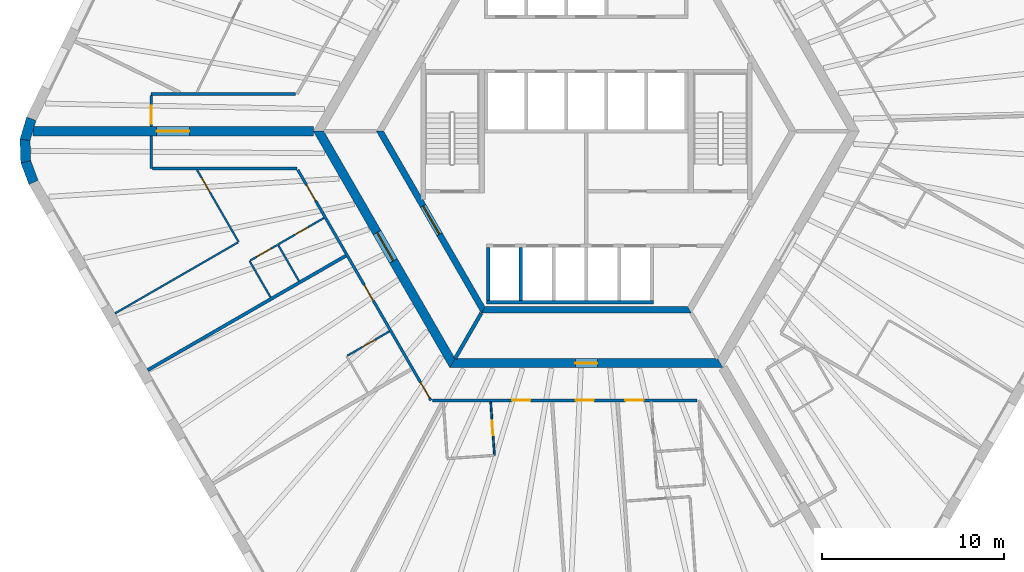
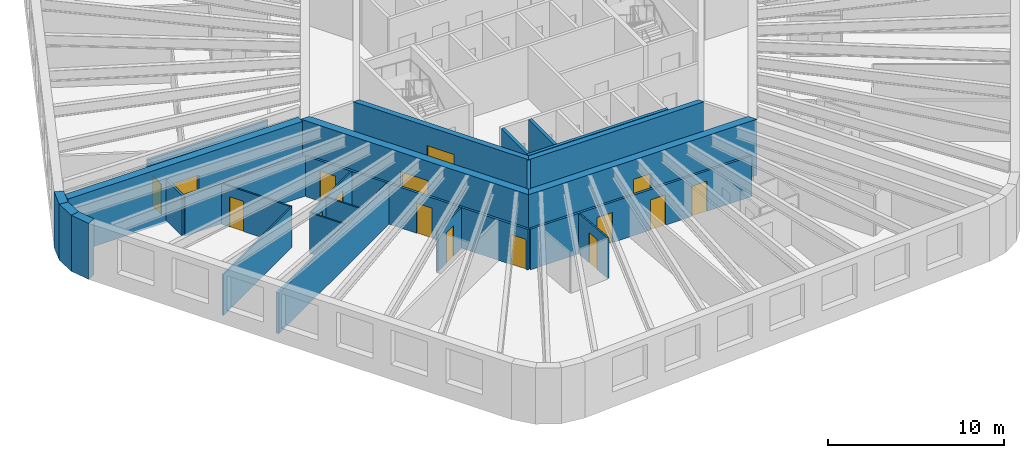
# One storey, part 3 of 10: 27 walls, 16 doors, 16 openings.
"""IFC4 building model written with IfcOpenShell, lengths in metres."""

from ifc_helpers import new_model, si_unit, direction, frame, frame_2d, origin, place, context, subcontext, project, spatial, polyline, rectangle, outline, extrude, material, layer, layer_set, type_object, element, fill, save


model = new_model("IFC4")

# Units and contexts
model_context = context("Model", 3, precision=1e-05, world=origin(), true_north=direction((0.0, 1.0)))
body_context = subcontext(model_context, "Body", "Model", "MODEL_VIEW")
ifc_project = project(units=[si_unit("LENGTHUNIT", "METRE"), si_unit("AREAUNIT", "SQUARE_METRE"), si_unit("VOLUMEUNIT", "CUBIC_METRE"), si_unit("PLANEANGLEUNIT", "RADIAN"), si_unit("MASSUNIT", "GRAM", prefix="KILO")], contexts=[model_context])

# Site, building, storey
site_placement = place(None, origin())
site = spatial("IfcSite", under=ifc_project, at=site_placement, CompositionType="ELEMENT")
building_placement = place(site_placement, origin())
building = spatial("IfcBuilding", under=site, at=building_placement, Name="Tarnside Tower", CompositionType="ELEMENT")
storey_placement = place(building_placement, frame((0.0, 0.0, 160.5)))
storey = spatial("IfcBuildingStorey", under=building, at=storey_placement, Name="L37", CompositionType="ELEMENT", Elevation=160.5)

# Wall, opening, door
ifc_material_1 = material(Name="Gypsum board partition on steel studs", Category="steel")
ifc_layer_1 = layer(ifc_material_1, 0.10009765625)
ifc_layer_set_1 = layer_set([ifc_layer_1], Name="Bathroom wall 100")
wall_type_1 = type_object("IfcWallType", Name="Bathroom wall 100", PredefinedType="PARTITIONING", material=ifc_layer_set_1)
wall_1_placement = place(storey_placement, frame((-16.956298828125, -6.230712890625, 0.0), z_axis=(0.0, 0.0, 1.0), x_axis=(0.866046596414, 0.499963291492, 0.0)))
wall_1 = element("IfcWall", 1, at=wall_1_placement, inside=storey, type_object=wall_type_1, Name="Bathroom wall 11066", PredefinedType="PARTITIONING", context=body_context, shape_type="SweptSolid", body=[
    extrude(rectangle(XDim=2.925048828125, YDim=0.10009765625, at=frame_2d((1.46240234375, 0.0))), origin(), (0.0, 0.0, 1.0), 2.823486328125),
])
opening_1_placement = place(wall_1_placement, frame((1.10009765625, 0.0, 0.0)))
opening_1 = element("IfcOpeningElement", 2, at=opening_1_placement, cuts=wall_1, Name="Opening D-B1", PredefinedType="OPENING", context=body_context, shape_type="SweptSolid", body=[
    extrude(rectangle(XDim=0.800048828125, YDim=2.10009765625, at=frame_2d((0.39990234375, 1.050048828125))), frame((0.0, 0.06005859375, 0.0), z_axis=(0.0, -1.0, 0.0), x_axis=(1.0, 0.0, 0.0)), (0.0, 0.0, 1.0), 0.1201171875),
])
ifc_material_2 = material(Name="Timber door leaf", Category="wood")
door_type_1 = type_object("IfcDoorType", Name="Bathroom door 800", OperationType="NOTDEFINED", PredefinedType="DOOR", material=ifc_material_2)
door_1_placement = place(opening_1_placement, origin())
door_1 = element("IfcDoor", 3, at=door_1_placement, inside=storey, type_object=door_type_1, Name="Bathroom door 11012", OperationType="SINGLE_SWING_LEFT", OverallHeight=2.10009765625, OverallWidth=0.800048828125, PredefinedType="DOOR", context=body_context, shape_type="SweptSolid", body=[
    extrude(rectangle(XDim=0.800048828125, YDim=2.10009765625, at=frame_2d((0.39990234375, 1.050048828125))), frame((0.0, 0.02490234375, 0.0), z_axis=(0.0, -1.0, 0.0), x_axis=(1.0, 0.0, 0.0)), (0.0, 0.0, 1.0), 0.050048828125),
])
fill(opening_1, door_1)

# Wall
wall_2_placement = place(storey_placement, frame((-16.931396484375, -6.274169921875, 0.0), z_axis=(0.0, 0.0, 1.0), x_axis=(0.500077800282, -0.865980481111, 0.0)))
element("IfcWall", 4, at=wall_2_placement, inside=storey, type_object=wall_type_1, Name="Bathroom wall 11072", PredefinedType="PARTITIONING", context=body_context, shape_type="SweptSolid", body=[
    extrude(rectangle(XDim=2.260009765625, YDim=0.10009765625, at=frame_2d((1.1298828125, 0.0))), origin(), (0.0, 0.0, 1.0), 2.823486328125),
])

# Wall, opening, door
wall_3_placement = place(storey_placement, frame((-13.139892578125, -12.341064453125, 0.0), z_axis=(0.0, 0.0, 1.0), x_axis=(0.86604424267, 0.499967368674, 0.0)))
wall_3 = element("IfcWall", 5, at=wall_3_placement, inside=storey, type_object=wall_type_1, Name="Bathroom wall 11076", PredefinedType="PARTITIONING", context=body_context, shape_type="SweptSolid", body=[
    extrude(rectangle(XDim=2.675048828125, YDim=0.10009765625, at=frame_2d((1.33740234375, 0.0))), origin(), (0.0, 0.0, 1.0), 2.823486328125),
])
opening_2_placement = place(wall_3_placement, frame((0.949951171875, 0.0, 0.0)))
opening_2 = element("IfcOpeningElement", 6, at=opening_2_placement, cuts=wall_3, Name="Opening D-B1", PredefinedType="OPENING", context=body_context, shape_type="SweptSolid", body=[
    extrude(rectangle(XDim=0.800048828125, YDim=2.10009765625, at=frame_2d((0.39990234375, 1.050048828125))), frame((0.0, 0.06005859375, 0.0), z_axis=(0.0, -1.0, 0.0), x_axis=(1.0, 0.0, 0.0)), (0.0, 0.0, 1.0), 0.1201171875),
])
door_2_placement = place(opening_2_placement, origin())
door_2 = element("IfcDoor", 7, at=door_2_placement, inside=storey, type_object=door_type_1, Name="Bathroom door 11016", OperationType="SINGLE_SWING_RIGHT", OverallHeight=2.10009765625, OverallWidth=0.800048828125, PredefinedType="DOOR", context=body_context, shape_type="SweptSolid", body=[
    extrude(rectangle(XDim=0.800048828125, YDim=2.10009765625, at=frame_2d((0.39990234375, 1.050048828125))), frame((0.0, 0.02490234375, 0.0), z_axis=(0.0, -1.0, 0.0), x_axis=(1.0, 0.0, 0.0)), (0.0, 0.0, 1.0), 0.050048828125),
])
fill(opening_2, door_2)

wall_4_placement = place(storey_placement, frame((-5.2578125, -14.875, 0.0), z_axis=(0.0, 0.0, 1.0), x_axis=(0.069812665072, -0.997560119389, 0.0)))
wall_4 = element("IfcWall", 8, at=wall_4_placement, inside=storey, type_object=wall_type_1, Name="Bathroom wall 11080", PredefinedType="PARTITIONING", context=body_context, shape_type="SweptSolid", body=[
    extrude(rectangle(XDim=2.951416015625, YDim=0.10009765625, at=frame_2d((1.4755859375, 0.0))), origin(), (0.0, 0.0, 1.0), 2.823486328125),
])
opening_3_placement = place(wall_4_placement, frame((1.051513671875, 0.0, 0.0)))
opening_3 = element("IfcOpeningElement", 9, at=opening_3_placement, cuts=wall_4, Name="Opening D-B1", PredefinedType="OPENING", context=body_context, shape_type="SweptSolid", body=[
    extrude(rectangle(XDim=0.800048828125, YDim=2.10009765625, at=frame_2d((0.39990234375, 1.050048828125))), frame((0.0, 0.06005859375, 0.0), z_axis=(0.0, -1.0, 0.0), x_axis=(1.0, 0.0, 0.0)), (0.0, 0.0, 1.0), 0.1201171875),
])
door_3_placement = place(opening_3_placement, origin())
door_3 = element("IfcDoor", 10, at=door_3_placement, inside=storey, type_object=door_type_1, Name="Bathroom door 11019", OperationType="SINGLE_SWING_LEFT", OverallHeight=2.10009765625, OverallWidth=0.800048828125, PredefinedType="DOOR", context=body_context, shape_type="SweptSolid", body=[
    extrude(rectangle(XDim=0.800048828125, YDim=2.10009765625, at=frame_2d((0.39990234375, 1.050048828125))), frame((0.0, 0.02490234375, 0.0), z_axis=(0.0, -1.0, 0.0), x_axis=(1.0, 0.0, 0.0)), (0.0, 0.0, 1.0), 0.050048828125),
])
fill(opening_3, door_3)

ifc_material_3 = material(Name="Concrete C50/60", Category="concrete")
ifc_layer_2 = layer(ifc_material_3, 0.35009765625)
ifc_layer_set_2 = layer_set([ifc_layer_2], Name="Core block wall 350 C50/60")
wall_type_2 = type_object("IfcWallType", Name="Core block wall 350 C50/60", PredefinedType="SHEAR", material=ifc_layer_set_2)
wall_5_placement = place(storey_placement, frame((-11.344970703125, 0.0, -0.14990234375), z_axis=(0.0, 0.0, 1.0), x_axis=(0.499995046907, -0.866028263435, 0.0)))
wall_5 = element("IfcWall", 11, at=wall_5_placement, inside=storey, type_object=wall_type_2, Name="L37 core block wall face 3", PredefinedType="SHEAR", context=body_context, shape_type="SweptSolid", body=[
    extrude(outline(polyline([(-0.10107421875, -0.175048828125), (11.44580078125, -0.175048828125), (11.24365234375, 0.175048828125), (0.10107421875, 0.175048828125), (-0.10107421875, -0.175048828125)])), origin(), (0.0, 0.0, 1.0), 3.89990234375),
])
opening_4_placement = place(wall_5_placement, frame((4.74365234375, 0.0, 0.14990234375)))
opening_4 = element("IfcOpeningElement", 12, at=opening_4_placement, cuts=wall_5, Name="Opening CD-FFL", PredefinedType="OPENING", context=body_context, shape_type="SweptSolid", body=[
    extrude(rectangle(XDim=1.800048828125, YDim=2.39990234375, at=frame_2d((0.89990234375, 1.199951171875))), frame((0.0, 0.18505859375, 0.0), z_axis=(0.0, -1.0, 0.0), x_axis=(1.0, 0.0, 0.0)), (0.0, 0.0, 1.0), 0.3701171875),
])
ifc_material_4 = material(Name="Steel fire door", Category="steel")
door_type_2 = type_object("IfcDoorType", Name="Firefighting lobby double door FD60S 1800x2400", OperationType="NOTDEFINED", PredefinedType="DOOR", material=ifc_material_4)
door_4_placement = place(opening_4_placement, origin())
door_4 = element("IfcDoor", 13, at=door_4_placement, inside=storey, type_object=door_type_2, Name="L37 lobby block door P3", OperationType="DOUBLE_DOOR_SINGLE_SWING", OverallHeight=2.39990234375, OverallWidth=1.800048828125, PredefinedType="DOOR", context=body_context, shape_type="SweptSolid", body=[
    extrude(rectangle(XDim=1.800048828125, YDim=2.39990234375, at=frame_2d((0.89990234375, 1.199951171875))), frame((0.0, 0.02490234375, 0.0), z_axis=(0.0, -1.0, 0.0), x_axis=(1.0, 0.0, 0.0)), (0.0, 0.0, 1.0), 0.050048828125),
])
fill(opening_4, door_4)

# Wall
wall_6_placement = place(storey_placement, frame((-5.672607421875, -9.824951171875, -0.14990234375), z_axis=(0.0, 0.0, 1.0), x_axis=(1.0, 0.0, 0.0)))
element("IfcWall", 14, at=wall_6_placement, inside=storey, type_object=wall_type_2, Name="L37 core block wall face 4", PredefinedType="SHEAR", context=body_context, shape_type="SweptSolid", body=[
    extrude(outline(polyline([(-0.10107421875, -0.175048828125), (11.4462890625, -0.175048828125), (11.244140625, 0.175048828125), (0.10107421875, 0.175048828125), (-0.10107421875, -0.175048828125)])), origin(), (0.0, 0.0, 1.0), 3.89990234375),
])

# Wall, opening, door
ifc_material_5 = material(Name="Concrete C70/85", Category="concrete")
ifc_layer_3 = layer(ifc_material_5, 0.5)
ifc_layer_set_3 = layer_set([ifc_layer_3], Name="Core wall Z2 500 C70/85")
wall_type_3 = type_object("IfcWallType", Name="Core wall Z2 500 C70/85", PredefinedType="SHEAR", material=ifc_layer_set_3)
wall_7_placement = place(storey_placement, frame((-14.722412109375, 0.0, -0.14990234375), z_axis=(0.0, 0.0, 1.0), x_axis=(0.50000571537, -0.866022103989, 0.0)))
wall_7 = element("IfcWall", 15, at=wall_7_placement, inside=storey, type_object=wall_type_3, Name="L37 core wall face 3", PredefinedType="SHEAR", context=body_context, shape_type="SweptSolid", body=[
    extrude(outline(polyline([(-0.144287109375, -0.25), (14.86669921875, -0.25), (14.578125, 0.25), (0.144287109375, 0.25), (-0.144287109375, -0.25)])), origin(), (0.0, 0.0, 1.0), 3.89990234375),
])
opening_5_placement = place(wall_7_placement, frame((6.432373046875, 0.0, 0.14990234375)))
opening_5 = element("IfcOpeningElement", 16, at=opening_5_placement, cuts=wall_7, Name="Opening CD-FFL", PredefinedType="OPENING", context=body_context, shape_type="SweptSolid", body=[
    extrude(rectangle(XDim=1.800048828125, YDim=2.39990234375, at=frame_2d((0.89990234375, 1.199951171875))), frame((0.0, 0.260009765625, 0.0), z_axis=(0.0, -1.0, 0.0), x_axis=(1.0, 0.0, 0.0)), (0.0, 0.0, 1.0), 0.52001953125),
])
door_5_placement = place(opening_5_placement, origin())
door_5 = element("IfcDoor", 17, at=door_5_placement, inside=storey, type_object=door_type_2, Name="L37 core door P3", OperationType="DOUBLE_DOOR_SINGLE_SWING", OverallHeight=2.39990234375, OverallWidth=1.800048828125, PredefinedType="DOOR", context=body_context, shape_type="SweptSolid", body=[
    extrude(rectangle(XDim=1.800048828125, YDim=2.39990234375, at=frame_2d((0.89990234375, 1.199951171875))), frame((0.0, 0.02490234375, 0.0), z_axis=(0.0, -1.0, 0.0), x_axis=(1.0, 0.0, 0.0)), (0.0, 0.0, 1.0), 0.050048828125),
])
fill(opening_5, door_5)

wall_8_placement = place(storey_placement, frame((-7.361083984375, -12.75, -0.14990234375), z_axis=(0.0, 0.0, 1.0), x_axis=(1.0, 0.0, 0.0)))
wall_8 = element("IfcWall", 18, at=wall_8_placement, inside=storey, type_object=wall_type_3, Name="L37 core wall face 4", PredefinedType="SHEAR", context=body_context, shape_type="SweptSolid", body=[
    extrude(outline(polyline([(-0.144287109375, -0.25), (14.866455078125, -0.25), (14.577880859375, 0.25), (0.144287109375, 0.25), (-0.144287109375, -0.25)])), origin(), (0.0, 0.0, 1.0), 3.89990234375),
])
opening_6_placement = place(wall_8_placement, frame((6.76123046875, 0.0, 0.14990234375)))
opening_6 = element("IfcOpeningElement", 19, at=opening_6_placement, cuts=wall_8, Name="Opening CD-RSR", PredefinedType="OPENING", context=body_context, shape_type="SweptSolid", body=[
    extrude(rectangle(XDim=1.199951171875, YDim=2.39990234375, at=frame_2d((0.60009765625, 1.199951171875))), frame((0.0, 0.260009765625, 0.0), z_axis=(0.0, -1.0, 0.0), x_axis=(1.0, 0.0, 0.0)), (0.0, 0.0, 1.0), 0.52001953125),
])
door_type_3 = type_object("IfcDoorType", Name="Riser door FD60 1200x2400", OperationType="NOTDEFINED", PredefinedType="DOOR", material=ifc_material_4)
door_6_placement = place(opening_6_placement, origin())
door_6 = element("IfcDoor", 20, at=door_6_placement, inside=storey, type_object=door_type_3, Name="L37 core door S6", OperationType="SINGLE_SWING_LEFT", OverallHeight=2.39990234375, OverallWidth=1.199951171875, PredefinedType="DOOR", context=body_context, shape_type="SweptSolid", body=[
    extrude(rectangle(XDim=1.199951171875, YDim=2.39990234375, at=frame_2d((0.60009765625, 1.199951171875))), frame((0.0, 0.02490234375, 0.0), z_axis=(0.0, -1.0, 0.0), x_axis=(1.0, 0.0, 0.0)), (0.0, 0.0, 1.0), 0.050048828125),
])
fill(opening_6, door_6)

wall_9_placement = place(storey_placement, frame((-15.010986328125, 0.0, -0.14990234375), z_axis=(0.0, 0.0, 1.0), x_axis=(-1.0, 0.0, 0.0)))
wall_9 = element("IfcWall", 21, at=wall_9_placement, inside=storey, type_object=wall_type_3, Name="L37 spine wall 2", PredefinedType="SHEAR", context=body_context, shape_type="SweptSolid", body=[
    extrude(rectangle(XDim=15.423828125, YDim=0.5, at=frame_2d((7.7119140625, 0.0))), origin(), (0.0, 0.0, 1.0), 3.89990234375),
])
opening_7_placement = place(wall_9_placement, frame((6.811767578125, 0.0, 0.14990234375)))
opening_7 = element("IfcOpeningElement", 22, at=opening_7_placement, cuts=wall_9, Name="Opening CD-SPN", PredefinedType="OPENING", context=body_context, shape_type="SweptSolid", body=[
    extrude(rectangle(XDim=1.800048828125, YDim=2.39990234375, at=frame_2d((0.89990234375, 1.199951171875))), frame((0.0, 0.260009765625, 0.0), z_axis=(0.0, -1.0, 0.0), x_axis=(1.0, 0.0, 0.0)), (0.0, 0.0, 1.0), 0.52001953125),
])
door_type_4 = type_object("IfcDoorType", Name="Spine passage double door FD60 1800x2400", OperationType="NOTDEFINED", PredefinedType="DOOR", material=ifc_material_4)
door_7_placement = place(opening_7_placement, origin())
door_7 = element("IfcDoor", 23, at=door_7_placement, inside=storey, type_object=door_type_4, Name="L37 spine passage door 2", OperationType="DOUBLE_DOOR_SINGLE_SWING", OverallHeight=2.39990234375, OverallWidth=1.800048828125, PredefinedType="DOOR", context=body_context, shape_type="SweptSolid", body=[
    extrude(rectangle(XDim=1.800048828125, YDim=2.39990234375, at=frame_2d((0.89990234375, 1.199951171875))), frame((0.0, 0.02490234375, 0.0), z_axis=(0.0, -1.0, 0.0), x_axis=(1.0, 0.0, 0.0)), (0.0, 0.0, 1.0), 0.050048828125),
])
fill(opening_7, door_7)

# Wall
ifc_layer_4 = layer(ifc_material_1, 0.14990234375)
ifc_layer_set_4 = layer_set([ifc_layer_4], Name="Corridor wall 150 EI 60")
wall_type_4 = type_object("IfcWallType", Name="Corridor wall 150 EI 60", PredefinedType="PARTITIONING", material=ifc_layer_set_4)
wall_10_placement = place(storey_placement, frame((-15.99267578125, 2.050048828125, 0.0), z_axis=(0.0, 0.0, 1.0), x_axis=(-1.0, 0.0, 0.0)))
element("IfcWall", 24, at=wall_10_placement, inside=storey, type_object=wall_type_4, Name="Corridor wall 11011", PredefinedType="PARTITIONING", context=body_context, shape_type="SweptSolid", body=[
    extrude(rectangle(XDim=7.93017578125, YDim=0.14990234375, at=frame_2d((3.965087890625, 0.0))), origin(), (0.0, 0.0, 1.0), 2.823486328125),
])

# Wall, opening, door
wall_11_placement = place(storey_placement, frame((-23.9228515625, 1.97509765625, 0.0), z_axis=(0.0, 0.0, 1.0), x_axis=(0.0, -1.0, 0.0)))
wall_11 = element("IfcWall", 25, at=wall_11_placement, inside=storey, type_object=wall_type_4, Name="Corridor wall 11015", PredefinedType="PARTITIONING", context=body_context, shape_type="SweptSolid", body=[
    extrude(rectangle(XDim=1.72509765625, YDim=0.14990234375, at=frame_2d((0.862548828125, 0.0))), origin(), (0.0, 0.0, 1.0), 2.823486328125),
])
opening_8_placement = place(wall_11_placement, frame((0.574951171875, 0.0, 0.0)))
opening_8 = element("IfcOpeningElement", 26, at=opening_8_placement, cuts=wall_11, Name="Opening D-E1", PredefinedType="OPENING", context=body_context, shape_type="SweptSolid", body=[
    extrude(rectangle(XDim=1.0, YDim=2.10009765625, at=frame_2d((0.5, 1.050048828125))), frame((0.0, 0.0849609375, 0.0), z_axis=(0.0, -1.0, 0.0), x_axis=(1.0, 0.0, 0.0)), (0.0, 0.0, 1.0), 0.169921875),
])
door_type_5 = type_object("IfcDoorType", Name="Unit entrance door 1000 FD30S", OperationType="NOTDEFINED", PredefinedType="DOOR", material=ifc_material_2)
door_8_placement = place(opening_8_placement, origin())
door_8 = element("IfcDoor", 27, at=door_8_placement, inside=storey, type_object=door_type_5, Name="Unit door 11010", OperationType="SINGLE_SWING_LEFT", OverallHeight=2.10009765625, OverallWidth=1.0, PredefinedType="DOOR", context=body_context, shape_type="SweptSolid", body=[
    extrude(rectangle(XDim=1.0, YDim=2.10009765625, at=frame_2d((0.5, 1.050048828125))), frame((0.0, 0.02490234375, 0.0), z_axis=(0.0, -1.0, 0.0), x_axis=(1.0, 0.0, 0.0)), (0.0, 0.0, 1.0), 0.050048828125),
])
fill(opening_8, door_8)

# Wall
wall_12_placement = place(storey_placement, frame((-23.847900390625, -2.050048828125, 0.0), z_axis=(0.0, 0.0, 1.0), x_axis=(1.0, 0.0, 0.0)))
element("IfcWall", 28, at=wall_12_placement, inside=storey, type_object=wall_type_4, Name="Corridor wall 11016", PredefinedType="PARTITIONING", context=body_context, shape_type="SweptSolid", body=[
    extrude(rectangle(XDim=7.94189453125, YDim=0.14990234375, at=frame_2d((3.970947265625, 0.0))), origin(), (0.0, 0.0, 1.0), 2.823486328125),
])

# Wall, openings, doors
wall_13_placement = place(storey_placement, frame((-15.86279296875, -2.125, 0.0), z_axis=(0.0, 0.0, 1.0), x_axis=(0.500008833422, -0.866020303746, 0.0)))
wall_13 = element("IfcWall", 29, at=wall_13_placement, inside=storey, type_object=wall_type_4, Name="Corridor wall 11017", PredefinedType="PARTITIONING", context=body_context, shape_type="SweptSolid", body=[
    extrude(rectangle(XDim=14.635986328125, YDim=0.14990234375, at=frame_2d((7.31787109375, 0.0))), origin(), (0.0, 0.0, 1.0), 2.823486328125),
])
opening_9_placement = place(wall_13_placement, frame((0.961181640625, 0.0, 0.0)))
opening_9 = element("IfcOpeningElement", 30, at=opening_9_placement, cuts=wall_13, Name="Opening D-E1", PredefinedType="OPENING", context=body_context, shape_type="SweptSolid", body=[
    extrude(rectangle(XDim=1.0, YDim=2.10009765625, at=frame_2d((0.5, 1.050048828125))), frame((0.0, 0.0849609375, 0.0), z_axis=(0.0, -1.0, 0.0), x_axis=(1.0, 0.0, 0.0)), (0.0, 0.0, 1.0), 0.169921875),
])
opening_10_placement = place(wall_13_placement, frame((7.308837890625, 0.0, 0.0)))
opening_10 = element("IfcOpeningElement", 31, at=opening_10_placement, cuts=wall_13, Name="Opening D-E1", PredefinedType="OPENING", context=body_context, shape_type="SweptSolid", body=[
    extrude(rectangle(XDim=1.0, YDim=2.10009765625, at=frame_2d((0.5, 1.050048828125))), frame((0.0, 0.0849609375, 0.0), z_axis=(0.0, -1.0, 0.0), x_axis=(1.0, 0.0, 0.0)), (0.0, 0.0, 1.0), 0.169921875),
])
opening_11_placement = place(wall_13_placement, frame((13.48583984375, 0.0, 0.0)))
opening_11 = element("IfcOpeningElement", 32, at=opening_11_placement, cuts=wall_13, Name="Opening D-E1", PredefinedType="OPENING", context=body_context, shape_type="SweptSolid", body=[
    extrude(rectangle(XDim=1.0, YDim=2.10009765625, at=frame_2d((0.5, 1.050048828125))), frame((0.0, 0.0849609375, 0.0), z_axis=(0.0, -1.0, 0.0), x_axis=(1.0, 0.0, 0.0)), (0.0, 0.0, 1.0), 0.169921875),
])
door_9_placement = place(opening_9_placement, origin())
door_9 = element("IfcDoor", 33, at=door_9_placement, inside=storey, type_object=door_type_5, Name="Unit door 11011", OperationType="SINGLE_SWING_RIGHT", OverallHeight=2.10009765625, OverallWidth=1.0, PredefinedType="DOOR", context=body_context, shape_type="SweptSolid", body=[
    extrude(rectangle(XDim=1.0, YDim=2.10009765625, at=frame_2d((0.5, 1.050048828125))), frame((0.0, 0.02490234375, 0.0), z_axis=(0.0, -1.0, 0.0), x_axis=(1.0, 0.0, 0.0)), (0.0, 0.0, 1.0), 0.050048828125),
])
fill(opening_9, door_9)
door_10_placement = place(opening_10_placement, origin())
door_10 = element("IfcDoor", 34, at=door_10_placement, inside=storey, type_object=door_type_5, Name="Unit door 11015", OperationType="SINGLE_SWING_LEFT", OverallHeight=2.10009765625, OverallWidth=1.0, PredefinedType="DOOR", context=body_context, shape_type="SweptSolid", body=[
    extrude(rectangle(XDim=1.0, YDim=2.10009765625, at=frame_2d((0.5, 1.050048828125))), frame((0.0, 0.02490234375, 0.0), z_axis=(0.0, -1.0, 0.0), x_axis=(1.0, 0.0, 0.0)), (0.0, 0.0, 1.0), 0.050048828125),
])
fill(opening_10, door_10)
door_11_placement = place(opening_11_placement, origin())
door_11 = element("IfcDoor", 35, at=door_11_placement, inside=storey, type_object=door_type_5, Name="Unit door 11017", OperationType="SINGLE_SWING_LEFT", OverallHeight=2.10009765625, OverallWidth=1.0, PredefinedType="DOOR", context=body_context, shape_type="SweptSolid", body=[
    extrude(rectangle(XDim=1.0, YDim=2.10009765625, at=frame_2d((0.5, 1.050048828125))), frame((0.0, 0.02490234375, 0.0), z_axis=(0.0, -1.0, 0.0), x_axis=(1.0, 0.0, 0.0)), (0.0, 0.0, 1.0), 0.050048828125),
])
fill(opening_11, door_11)

# Wall
wall_14_placement = place(storey_placement, frame((-23.9228515625, -0.25, 0.0), z_axis=(0.0, 0.0, 1.0), x_axis=(0.0, -1.0, 0.0)))
element("IfcWall", 36, at=wall_14_placement, inside=storey, type_object=wall_type_4, Name="Corridor wall 11019", PredefinedType="PARTITIONING", context=body_context, shape_type="SweptSolid", body=[
    extrude(rectangle(XDim=1.800048828125, YDim=0.14990234375, at=frame_2d((0.89990234375, 0.0))), origin(), (0.0, 0.0, 1.0), 2.823486328125),
])

# Wall, openings, doors
wall_15_placement = place(storey_placement, frame((-8.458251953125, -14.800048828125, 0.0), z_axis=(0.0, 0.0, 1.0), x_axis=(1.0, 0.0, 0.0)))
wall_15 = element("IfcWall", 37, at=wall_15_placement, inside=storey, type_object=wall_type_4, Name="Corridor wall 11024", PredefinedType="PARTITIONING", context=body_context, shape_type="SweptSolid", body=[
    extrude(rectangle(XDim=14.54931640625, YDim=0.14990234375, at=frame_2d((7.274658203125, 0.0))), origin(), (0.0, 0.0, 1.0), 2.823486328125),
])
opening_12_placement = place(wall_15_placement, frame((4.375244140625, 0.0, 0.0)))
opening_12 = element("IfcOpeningElement", 38, at=opening_12_placement, cuts=wall_15, Name="Opening D-E1", PredefinedType="OPENING", context=body_context, shape_type="SweptSolid", body=[
    extrude(rectangle(XDim=1.0, YDim=2.10009765625, at=frame_2d((0.5, 1.050048828125))), frame((0.0, 0.0849609375, 0.0), z_axis=(0.0, -1.0, 0.0), x_axis=(1.0, 0.0, 0.0)), (0.0, 0.0, 1.0), 0.169921875),
])
opening_13_placement = place(wall_15_placement, frame((7.872314453125, 0.0, 0.0)))
opening_13 = element("IfcOpeningElement", 39, at=opening_13_placement, cuts=wall_15, Name="Opening D-E1", PredefinedType="OPENING", context=body_context, shape_type="SweptSolid", body=[
    extrude(rectangle(XDim=1.0, YDim=2.10009765625, at=frame_2d((0.5, 1.050048828125))), frame((0.0, 0.0849609375, 0.0), z_axis=(0.0, -1.0, 0.0), x_axis=(1.0, 0.0, 0.0)), (0.0, 0.0, 1.0), 0.169921875),
])
opening_14_placement = place(wall_15_placement, frame((10.609375, 0.0, 0.0)))
opening_14 = element("IfcOpeningElement", 40, at=opening_14_placement, cuts=wall_15, Name="Opening D-E1", PredefinedType="OPENING", context=body_context, shape_type="SweptSolid", body=[
    extrude(rectangle(XDim=1.0, YDim=2.10009765625, at=frame_2d((0.5, 1.050048828125))), frame((0.0, 0.0849609375, 0.0), z_axis=(0.0, -1.0, 0.0), x_axis=(1.0, 0.0, 0.0)), (0.0, 0.0, 1.0), 0.169921875),
])
door_12_placement = place(opening_12_placement, origin())
door_12 = element("IfcDoor", 41, at=door_12_placement, inside=storey, type_object=door_type_5, Name="Unit door 11018", OperationType="SINGLE_SWING_LEFT", OverallHeight=2.10009765625, OverallWidth=1.0, PredefinedType="DOOR", context=body_context, shape_type="SweptSolid", body=[
    extrude(rectangle(XDim=1.0, YDim=2.10009765625, at=frame_2d((0.5, 1.050048828125))), frame((0.0, 0.02490234375, 0.0), z_axis=(0.0, -1.0, 0.0), x_axis=(1.0, 0.0, 0.0)), (0.0, 0.0, 1.0), 0.050048828125),
])
fill(opening_12, door_12)
door_13_placement = place(opening_13_placement, origin())
door_13 = element("IfcDoor", 42, at=door_13_placement, inside=storey, type_object=door_type_5, Name="Unit door 11020", OperationType="SINGLE_SWING_RIGHT", OverallHeight=2.10009765625, OverallWidth=1.0, PredefinedType="DOOR", context=body_context, shape_type="SweptSolid", body=[
    extrude(rectangle(XDim=1.0, YDim=2.10009765625, at=frame_2d((0.5, 1.050048828125))), frame((0.0, 0.02490234375, 0.0), z_axis=(0.0, -1.0, 0.0), x_axis=(1.0, 0.0, 0.0)), (0.0, 0.0, 1.0), 0.050048828125),
])
fill(opening_13, door_13)
door_14_placement = place(opening_14_placement, origin())
door_14 = element("IfcDoor", 43, at=door_14_placement, inside=storey, type_object=door_type_5, Name="Unit door 11021", OperationType="SINGLE_SWING_RIGHT", OverallHeight=2.10009765625, OverallWidth=1.0, PredefinedType="DOOR", context=body_context, shape_type="SweptSolid", body=[
    extrude(rectangle(XDim=1.0, YDim=2.10009765625, at=frame_2d((0.5, 1.050048828125))), frame((0.0, 0.02490234375, 0.0), z_axis=(0.0, -1.0, 0.0), x_axis=(1.0, 0.0, 0.0)), (0.0, 0.0, 1.0), 0.050048828125),
])
fill(opening_14, door_14)

# Walls
ifc_layer_5 = layer(ifc_material_1, 0.179931640625)
ifc_layer_set_5 = layer_set([ifc_layer_5], Name="Demising wall 180 EI 60")
wall_type_5 = type_object("IfcWallType", Name="Demising wall 180 EI 60", PredefinedType="PARTITIONING", material=ifc_layer_set_5)
wall_16_placement = place(storey_placement, frame((-24.113525390625, -13.13427734375, 0.0), z_axis=(0.0, 0.0, 1.0), x_axis=(0.866024255907, 0.500001988177, 0.0)))
element("IfcWall", 44, at=wall_16_placement, inside=storey, type_object=wall_type_5, Name="Demising wall 11071", PredefinedType="PARTITIONING", context=body_context, shape_type="SweptSolid", body=[
    extrude(rectangle(XDim=12.5751953125, YDim=0.179931640625, at=frame_2d((6.28759765625, 0.0))), origin(), (0.0, 0.0, 1.0), 2.823486328125),
])
ifc_material_6 = material(Name="Concrete C40/50", Category="concrete")
ifc_layer_6 = layer(ifc_material_6, 0.199951171875)
ifc_layer_set_6 = layer_set([ifc_layer_6], Name="Lift shaft wall 200 C40/50")
wall_type_6 = type_object("IfcWallType", Name="Lift shaft wall 200 C40/50", PredefinedType="SHEAR", material=ifc_layer_set_6)
wall_17_placement = place(storey_placement, frame((-5.5, -9.39990234375, -0.25), z_axis=(0.0, 0.0, 1.0), x_axis=(1.0, 0.0, 0.0)))
element("IfcWall", 45, at=wall_17_placement, inside=storey, type_object=wall_type_6, Name="L37 lift shaft back wall R4", PredefinedType="SHEAR", context=body_context, shape_type="SweptSolid", body=[
    extrude(rectangle(XDim=9.199951171875, YDim=0.199951171875, at=frame_2d((4.60009765625, 0.0))), origin(), (0.0, 0.0, 1.0), 3.89990234375),
])
for number, where, z_axis, x_axis, name in (
    (46, (-5.39990234375, -9.300048828125, -0.25), (0.0, 0.0, 1.0), (0.0, 1.0, 0.0), "L37 lift shaft partition R41"),
    (47, (-3.60009765625, -9.300048828125, -0.25), (0.0, 0.0, 1.0), (0.0, 1.0, 0.0), "L37 lift shaft partition R42"),
):
    element("IfcWall", number, at=place(storey_placement, frame(where, z_axis=z_axis, x_axis=x_axis)), inside=storey, type_object=wall_type_6, Name=name, PredefinedType="SHEAR", context=body_context, shape_type="SweptSolid", body=[
        extrude(rectangle(XDim=2.900146484375, YDim=0.199951171875, at=frame_2d((1.4501953125, 0.0))), origin(), (0.0, 0.0, 1.0), 3.89990234375),
    ])
wall_18_placement = place(storey_placement, frame((-5.7734375, -10.0, -0.14990234375), z_axis=(0.0, 0.0, 1.0), x_axis=(-0.499995765644, -0.866027848477, 0.0)))
element("IfcWall", 48, at=wall_18_placement, inside=storey, type_object=wall_type_6, Name="L37 core partition AR240", PredefinedType="SHEAR", context=body_context, shape_type="SweptSolid", body=[
    extrude(rectangle(XDim=2.88671875, YDim=0.199951171875, at=frame_2d((1.443359375, 0.0))), origin(), (0.0, 0.0, 1.0), 3.89990234375),
])
ifc_layer_7 = layer(ifc_material_1, 0.10009765625)
ifc_layer_set_7 = layer_set([ifc_layer_7], Name="Partition 100")
wall_type_7 = type_object("IfcWallType", Name="Partition 100", PredefinedType="PARTITIONING", material=ifc_layer_set_7)
wall_19_placement = place(storey_placement, frame((-17.360107421875, -9.13134765625, 0.0), z_axis=(0.0, 0.0, 1.0), x_axis=(-0.500015210774, 0.866016621662, 0.0)))
element("IfcWall", 49, at=wall_19_placement, inside=storey, type_object=wall_type_7, Name="Partition wall 11067", PredefinedType="PARTITIONING", context=body_context, shape_type="SweptSolid", body=[
    extrude(rectangle(XDim=2.31005859375, YDim=0.10009765625, at=frame_2d((1.155029296875, 0.0))), origin(), (0.0, 0.0, 1.0), 2.823486328125),
])

# Wall, opening, door
wall_20_placement = place(storey_placement, frame((-18.471923828125, -7.105712890625, 0.0), z_axis=(0.0, 0.0, 1.0), x_axis=(0.866087547558, 0.499892348375, 0.0)))
wall_20 = element("IfcWall", 50, at=wall_20_placement, inside=storey, type_object=wall_type_7, Name="Partition wall 11068", PredefinedType="PARTITIONING", context=body_context, shape_type="SweptSolid", body=[
    extrude(rectangle(XDim=1.699951171875, YDim=0.10009765625, at=frame_2d((0.85009765625, 0.0))), origin(), (0.0, 0.0, 1.0), 2.823486328125),
])
opening_15_placement = place(wall_20_placement, frame((0.39990234375, 0.0, 0.0)))
opening_15 = element("IfcOpeningElement", 51, at=opening_15_placement, cuts=wall_20, Name="Opening D-I1", PredefinedType="OPENING", context=body_context, shape_type="SweptSolid", body=[
    extrude(rectangle(XDim=0.89990234375, YDim=2.10009765625, at=frame_2d((0.449951171875, 1.050048828125))), frame((0.0, 0.06005859375, 0.0), z_axis=(0.0, -1.0, 0.0), x_axis=(1.0, 0.0, 0.0)), (0.0, 0.0, 1.0), 0.1201171875),
])
door_type_6 = type_object("IfcDoorType", Name="Internal door 900", OperationType="NOTDEFINED", PredefinedType="DOOR", material=ifc_material_2)
door_15_placement = place(opening_15_placement, origin())
door_15 = element("IfcDoor", 52, at=door_15_placement, inside=storey, type_object=door_type_6, Name="Internal door 11013", OperationType="SINGLE_SWING_RIGHT", OverallHeight=2.10009765625, OverallWidth=0.89990234375, PredefinedType="DOOR", context=body_context, shape_type="SweptSolid", body=[
    extrude(rectangle(XDim=0.89990234375, YDim=2.10009765625, at=frame_2d((0.449951171875, 1.050048828125))), frame((0.0, 0.02490234375, 0.0), z_axis=(0.0, -1.0, 0.0), x_axis=(1.0, 0.0, 0.0)), (0.0, 0.0, 1.0), 0.050048828125),
])
fill(opening_15, door_15)

wall_21_placement = place(storey_placement, frame((-21.4052734375, -2.125, 0.0), z_axis=(0.0, 0.0, 1.0), x_axis=(0.49999161165, -0.866030246746, 0.0)))
wall_21 = element("IfcWall", 53, at=wall_21_placement, inside=storey, type_object=wall_type_7, Name="Partition wall 11069", PredefinedType="PARTITIONING", context=body_context, shape_type="SweptSolid", body=[
    extrude(rectangle(XDim=4.580078125, YDim=0.10009765625, at=frame_2d((2.2900390625, 0.0))), origin(), (0.0, 0.0, 1.0), 2.823486328125),
])
opening_16_placement = place(wall_21_placement, frame((0.5302734375, 0.0, 0.0)))
opening_16 = element("IfcOpeningElement", 54, at=opening_16_placement, cuts=wall_21, Name="Opening D-I1", PredefinedType="OPENING", context=body_context, shape_type="SweptSolid", body=[
    extrude(rectangle(XDim=0.89990234375, YDim=2.10009765625, at=frame_2d((0.449951171875, 1.050048828125))), frame((0.0, 0.06005859375, 0.0), z_axis=(0.0, -1.0, 0.0), x_axis=(1.0, 0.0, 0.0)), (0.0, 0.0, 1.0), 0.1201171875),
])
door_16_placement = place(opening_16_placement, origin())
door_16 = element("IfcDoor", 55, at=door_16_placement, inside=storey, type_object=door_type_6, Name="Internal door 11014", OperationType="SINGLE_SWING_RIGHT", OverallHeight=2.10009765625, OverallWidth=0.89990234375, PredefinedType="DOOR", context=body_context, shape_type="SweptSolid", body=[
    extrude(rectangle(XDim=0.89990234375, YDim=2.10009765625, at=frame_2d((0.449951171875, 1.050048828125))), frame((0.0, 0.02490234375, 0.0), z_axis=(0.0, -1.0, 0.0), x_axis=(1.0, 0.0, 0.0)), (0.0, 0.0, 1.0), 0.050048828125),
])
fill(opening_16, door_16)

# Walls
wall_22_placement = place(storey_placement, frame((-19.158447265625, -6.116455078125, 0.0), z_axis=(0.0, 0.0, 1.0), x_axis=(-0.866021400173, -0.500006934395, 0.0)))
element("IfcWall", 56, at=wall_22_placement, inside=storey, type_object=wall_type_7, Name="Partition wall 11070", PredefinedType="PARTITIONING", context=body_context, shape_type="SweptSolid", body=[
    extrude(rectangle(XDim=7.80029296875, YDim=0.10009765625, at=frame_2d((3.900146484375, 0.0))), origin(), (0.0, 0.0, 1.0), 2.823486328125),
])
ifc_material_7 = material(Name="Facing brick", Category="masonry")
ifc_layer_8 = layer(ifc_material_7, 0.10205078125)
ifc_material_8 = material(Name="Concrete C60/75 precast", Category="concrete")
ifc_layer_9 = layer(ifc_material_8, 0.347900390625)
ifc_material_9 = material(Name="Mineral wool insulation")
ifc_layer_10 = layer(ifc_material_9, 0.10009765625)
ifc_layer_set_8 = layer_set([ifc_layer_8, ifc_layer_9, ifc_layer_10], Name="Tube wall 550 brick faced")
wall_type_8 = type_object("IfcWallType", Name="Tube wall 550 brick faced", PredefinedType="SOLIDWALL", material=ifc_layer_set_8)
wall_23_placement = place(storey_placement, frame((-30.51318359375, 0.684326171875, -0.14990234375), z_axis=(0.0, 0.0, 1.0), x_axis=(-0.286736058109, -0.958009620505, 0.0)))
element("IfcWall", 57, at=wall_23_placement, inside=storey, type_object=wall_type_8, Name="Tube wall L37 F2 chord 05", PredefinedType="SOLIDWALL", context=body_context, shape_type="SweptSolid", body=[
    extrude(outline(polyline([(-0.0224609375, -0.27490234375), (1.25341796875, -0.27490234375), (1.1630859375, 0.27490234375), (0.0224609375, 0.27490234375), (-0.0224609375, -0.27490234375)])), origin(), (0.0, 0.0, 1.0), 3.89990234375),
])
wall_24_placement = place(storey_placement, frame((-30.859619140625, -0.47314453125, -0.14990234375), z_axis=(0.0, 0.0, 1.0), x_axis=(0.03495638276, -0.999388838893, 0.0)))
element("IfcWall", 58, at=wall_24_placement, inside=storey, type_object=wall_type_8, Name="Tube wall L37 F2 chord 06", PredefinedType="SOLIDWALL", context=body_context, shape_type="SweptSolid", body=[
    extrude(outline(polyline([(-0.045166015625, -0.27490234375), (1.25341796875, -0.27490234375), (1.1630859375, 0.27490234375), (0.045166015625, 0.27490234375), (-0.045166015625, -0.27490234375)])), origin(), (0.0, 0.0, 1.0), 3.89990234375),
])
wall_25_placement = place(storey_placement, frame((-30.8173828125, -1.6806640625, -0.14990234375), z_axis=(0.0, 0.0, 1.0), x_axis=(0.352850303963, -0.935679786569, 0.0)))
element("IfcWall", 59, at=wall_25_placement, inside=storey, type_object=wall_type_8, Name="Tube wall L37 F2 chord 07", PredefinedType="SOLIDWALL", context=body_context, shape_type="SweptSolid", body=[
    extrude(outline(polyline([(-0.045166015625, -0.27490234375), (1.23046875, -0.27490234375), (1.185546875, 0.27490234375), (0.045166015625, 0.27490234375), (-0.045166015625, -0.27490234375)])), origin(), (0.0, 0.0, 1.0), 3.89990234375),
])

save(model, "model.ifc")
